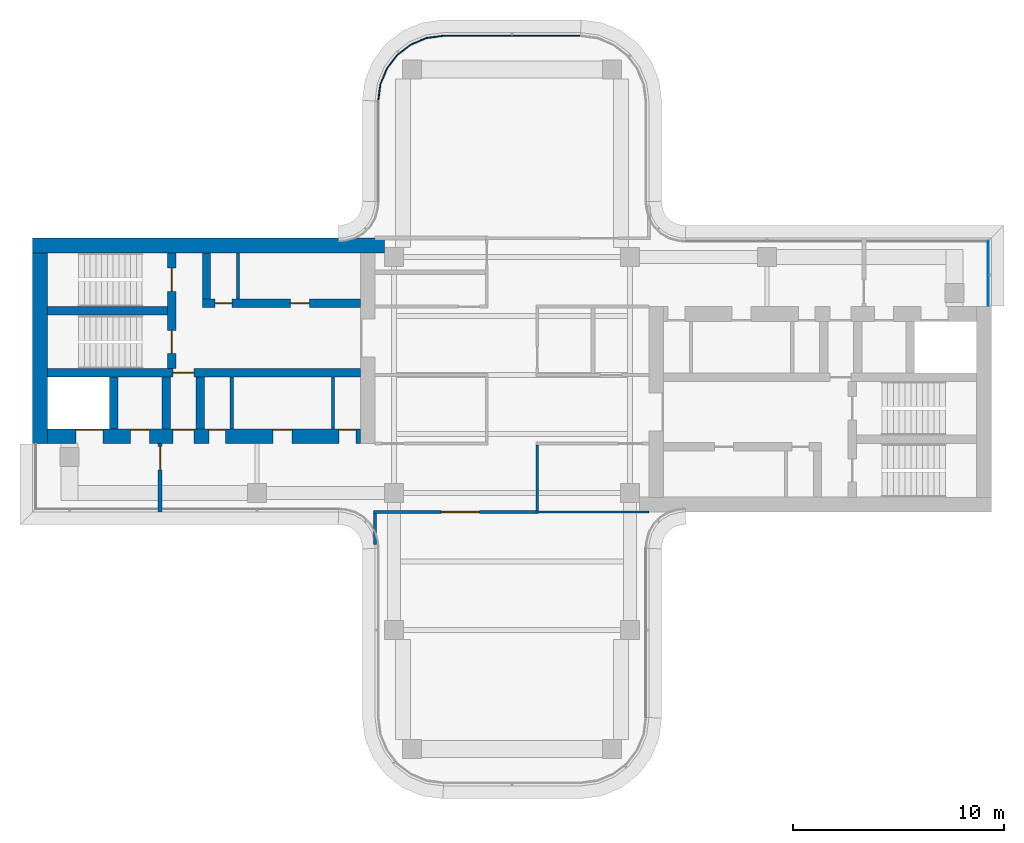
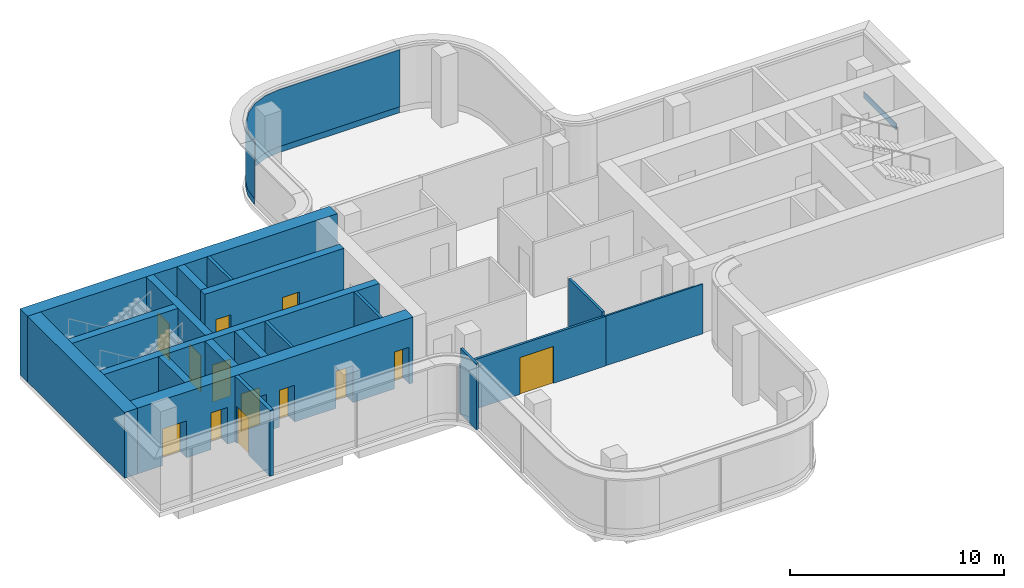
# One storey, part 8 of 11: 19 walls, 13 doors, 3 plates, 13 openings, 2 elements without a shape of their own.
"""IFC4 building model written with IfcOpenShell, lengths in metres."""

import ifcopenshell
import ifcopenshell.guid

model = None  # the IFC model being written
_history = None  # IfcOwnerHistory: only IFC2X3 demands one
_inside = {}  # id of a spatial element -> (the spatial element, [elements in it])
_under = {}  # id of a project, library or spatial element -> (it, [spatial elements below it])
_declared = {}  # id of a project -> (the project, [libraries it declares])
_typed = {}  # id of a type object -> (the type object, [elements of that type])
_made_of = {}  # id of a material, layer set ... -> (it, [elements and type objects made of it])


def new_model(schema):
    """Start an empty IFC model of exactly this schema.

    Asked for "IFC4X3", IfcOpenShell would pick the latest addendum, in which some entities
    have other attributes; the version numbers below select the first issue.
    IFC2X3 requires an IfcOwnerHistory on every rooted entity: one is made here for all.
    """
    global model, _history
    if schema == "IFC4X3":
        model = ifcopenshell.file(schema_version=(4, 3, 0, 0))
    else:
        model = ifcopenshell.file(schema=schema)
    _inside.clear()
    _under.clear()
    _declared.clear()
    _typed.clear()
    _made_of.clear()
    _history = None
    if model.schema == "IFC2X3":
        org = make("IfcOrganization", Name="unknown")
        user = make(
            "IfcPersonAndOrganization",
            ThePerson=make("IfcPerson", FamilyName="unknown"),
            TheOrganization=org,
        )
        app = make(
            "IfcApplication",
            ApplicationDeveloper=org,
            Version="unknown",
            ApplicationFullName="unknown",
            ApplicationIdentifier="unknown",
        )
        _history = make(
            "IfcOwnerHistory",
            OwningUser=user,
            OwningApplication=app,
            ChangeAction="ADDED",
            CreationDate=0,
        )
    return model


def make(cls, **values):
    """One entity of the class cls with the attributes given. An attribute that is None is left unset."""
    return model.create_entity(
        cls, **{name: value for name, value in values.items() if value is not None}
    )


def rooted(cls, **values):
    """An entity with a GlobalId (a new one), such as an element, a storey or a relation."""
    return make(cls, GlobalId=ifcopenshell.guid.new(), OwnerHistory=_history, **values)


def si_unit(unit_type, name, prefix=None):
    """IfcSIUnit, for example si_unit("LENGTHUNIT", "METRE", prefix="MILLI")."""
    return make("IfcSIUnit", UnitType=unit_type, Prefix=prefix, Name=name)


def assignment(units):
    """IfcUnitAssignment: the units of a project."""
    return None if units is None else make("IfcUnitAssignment", Units=units)


def point(xyz):
    """IfcCartesianPoint."""
    return None if xyz is None else make("IfcCartesianPoint", Coordinates=xyz)


def direction(xyz):
    """IfcDirection."""
    return None if xyz is None else make("IfcDirection", DirectionRatios=xyz)


def frame(location, z_axis=None, x_axis=None):
    """IfcAxis2Placement3D, a coordinate frame: its origin and axes. An axis left out is left unset."""
    return make(
        "IfcAxis2Placement3D",
        Location=point(location),
        Axis=direction(z_axis),
        RefDirection=direction(x_axis),
    )


def frame_2d(location, x_axis=None):
    """IfcAxis2Placement2D, a coordinate frame in the plane: its origin and x axis."""
    return make(
        "IfcAxis2Placement2D", Location=point(location), RefDirection=direction(x_axis)
    )


def origin():
    """The frame at (0, 0, 0) with its axes left unset."""
    return frame((0.0, 0.0, 0.0))


def place(relative_to, where):
    """IfcLocalPlacement: puts the frame where relative to a parent placement (None: the world)."""
    return make(
        "IfcLocalPlacement", PlacementRelTo=relative_to, RelativePlacement=where
    )


def context(
    kind, dimensions, precision=None, world=None, true_north=None, identifier=None
):
    """IfcGeometricRepresentationContext, for example the 3D "Model" context."""
    return make(
        "IfcGeometricRepresentationContext",
        ContextIdentifier=identifier,
        ContextType=kind,
        CoordinateSpaceDimension=dimensions,
        Precision=precision,
        WorldCoordinateSystem=world,
        TrueNorth=true_north,
    )


def subcontext(parent, identifier, kind, view, scale=None):
    """IfcGeometricRepresentationSubContext, for example "Body" below "Model"."""
    return make(
        "IfcGeometricRepresentationSubContext",
        ContextIdentifier=identifier,
        ContextType=kind,
        ParentContext=parent,
        TargetScale=scale,
        TargetView=view,
    )


def project(units=None, contexts=None):
    """IfcProject with its units and contexts."""
    return rooted(
        "IfcProject",
        Name="project",
        RepresentationContexts=contexts,
        UnitsInContext=assignment(units),
    )


def spatial(cls, under=None, at=None, **own):
    """A site, building, storey or space (cls), placed at a placement, below another one or the project."""
    s = rooted(cls, ObjectPlacement=at, **own)
    if under is not None:
        _under.setdefault(under.id(), (under, []))[1].append(s)
    return s


def polyline(points):
    """IfcPolyline through the points."""
    return make("IfcPolyline", Points=[point(p) for p in points])


def profile(cls, at=None, kind="AREA", **sizes):
    """A parametric profile (cls). Its sizes go by their IFC names, for example OverallWidth=200.0."""
    return make(cls, ProfileType=kind, Position=at, **sizes)


def rectangle(**sizes):
    """IfcRectangleProfileDef."""
    return profile("IfcRectangleProfileDef", **sizes)


def outline(outer, holes=None, kind="AREA"):
    """IfcArbitraryClosedProfileDef: a profile drawn as a closed curve; with holes, ...WithVoids."""
    if holes is None:
        return make("IfcArbitraryClosedProfileDef", ProfileType=kind, OuterCurve=outer)
    return make(
        "IfcArbitraryProfileDefWithVoids",
        ProfileType=kind,
        OuterCurve=outer,
        InnerCurves=holes,
    )


def extrude(swept, where, along, depth):
    """IfcExtrudedAreaSolid: the profile swept, set in the frame where, extruded along a direction by depth."""
    return make(
        "IfcExtrudedAreaSolid",
        SweptArea=swept,
        Position=where,
        ExtrudedDirection=direction(along),
        Depth=depth,
    )


def shape(context_of_items, identifier, shape_type, items):
    """IfcShapeRepresentation: the items that make up one representation, for example the "Body"."""
    return make(
        "IfcShapeRepresentation",
        ContextOfItems=context_of_items,
        RepresentationIdentifier=identifier,
        RepresentationType=shape_type,
        Items=items,
    )


def source(mapping_origin, context_of_items, identifier, shape_type, items):
    """IfcRepresentationMap: a shape defined once, which mapped items show again and again."""
    return make(
        "IfcRepresentationMap",
        MappingOrigin=mapping_origin,
        MappedRepresentation=shape(context_of_items, identifier, shape_type, items),
    )


def transform(
    local_origin,
    x_axis=None,
    y_axis=None,
    z_axis=None,
    scale=None,
    scale2=None,
    scale3=None,
    uniform=True,
):
    """IfcCartesianTransformationOperator3D, or its non-uniform kind. x_axis, y_axis, z_axis: its Axis1, 2, 3."""
    if uniform:
        return make(
            "IfcCartesianTransformationOperator3D",
            Axis1=direction(x_axis),
            Axis2=direction(y_axis),
            LocalOrigin=point(local_origin),
            Scale=scale,
            Axis3=direction(z_axis),
        )
    return make(
        "IfcCartesianTransformationOperator3DnonUniform",
        Axis1=direction(x_axis),
        Axis2=direction(y_axis),
        LocalOrigin=point(local_origin),
        Scale=scale,
        Axis3=direction(z_axis),
        Scale2=scale2,
        Scale3=scale3,
    )


def mapped(mapping_source, mapping_target):
    """IfcMappedItem: shows the shape of a source again, moved by a transform."""
    return make(
        "IfcMappedItem", MappingSource=mapping_source, MappingTarget=mapping_target
    )


def material(Name=None, Category=None):
    """IfcMaterial."""
    return make("IfcMaterial", Name=Name, Category=Category)


def layer(
    of_material, thickness, ventilated=None, Name=None, Category=None, Priority=None
):
    """IfcMaterialLayer: one layer of a wall or slab, of a material (None: an air gap)."""
    return make(
        "IfcMaterialLayer",
        Material=of_material,
        LayerThickness=thickness,
        IsVentilated=ventilated,
        Name=Name,
        Category=Category,
        Priority=Priority,
    )


def layer_set(layers, Name=None):
    """IfcMaterialLayerSet."""
    return make("IfcMaterialLayerSet", MaterialLayers=layers, LayerSetName=Name)


def made_of(thing, what):
    """Note that an element or type object is made of a material, layer set ...; save() writes the relation."""
    if what is not None:
        _made_of.setdefault(what.id(), (what, []))[1].append(thing)
    return thing


def type_object(cls, material=None, **own):
    """A type object (cls), such as IfcWallType, which elements share."""
    return made_of(rooted(cls, **own), material)


def element(
    cls,
    number,
    at=None,
    inside=None,
    cuts=None,
    type_object=None,
    material=None,
    context=None,
    identifier="Body",
    shape_type=None,
    held_by="IfcProductDefinitionShape",
    body=None,
    shapes=None,
    **own,
):
    """One element of the class cls, such as IfcWall. Its Tag is "e" and its number.

    at: its placement. inside: the storey or other place that contains it. cuts: it is an
    opening in that element (IfcRelVoidsElement). A single representation is given by context,
    identifier, shape_type and body (its items); several are given by shapes. held_by: the class
    of the entity that holds the representations. save() writes the other relations.
    """
    e = rooted(cls, Tag="e%d" % number, ObjectPlacement=at, **own)
    if body is not None:
        shapes = [shape(context, identifier, shape_type, body)]
    if shapes is not None:
        e.Representation = make(held_by, Representations=shapes)
    if inside is not None:
        _inside.setdefault(inside.id(), (inside, []))[1].append(e)
    if cuts is not None:
        rooted(
            "IfcRelVoidsElement", RelatingBuildingElement=cuts, RelatedOpeningElement=e
        )
    if type_object is not None:
        _typed.setdefault(type_object.id(), (type_object, []))[1].append(e)
    return made_of(e, material)


def fill(opening, filler):
    """IfcRelFillsElement: the door or window that sits in an opening."""
    return rooted(
        "IfcRelFillsElement",
        RelatingOpeningElement=opening,
        RelatedBuildingElement=filler,
    )


def aggregate(whole, parts):
    """IfcRelAggregates: a whole, such as a stair, and the parts it consists of."""
    return rooted("IfcRelAggregates", RelatingObject=whole, RelatedObjects=parts)


def save(model, path):
    """Write the relations noted so far, then the file.

    IfcRelAggregates (storeys below a building ...), IfcRelContainedInSpatialStructure (elements
    in a storey), IfcRelDefinesByType, IfcRelAssociatesMaterial and IfcRelDeclares: one each for
    every whole, place, type object, material and project.
    """
    for whole, parts in _under.values():
        aggregate(whole, parts)
    for where, things in _inside.values():
        rooted(
            "IfcRelContainedInSpatialStructure",
            RelatedElements=things,
            RelatingStructure=where,
        )
    for kind, things in _typed.values():
        rooted("IfcRelDefinesByType", RelatedObjects=things, RelatingType=kind)
    for what, things in _made_of.values():
        rooted("IfcRelAssociatesMaterial", RelatedObjects=things, RelatingMaterial=what)
    for by, libraries in _declared.values():
        rooted("IfcRelDeclares", RelatingContext=by, RelatedDefinitions=libraries)
    model.write(path)


model = new_model("IFC4")

# Units and contexts
model_context = context("Model", 3, precision=1e-05, world=origin(), true_north=direction((0.0, 1.0)))
body_context = subcontext(model_context, "Body", "Model", "MODEL_VIEW")
ifc_project = project(units=[si_unit("LENGTHUNIT", "METRE"), si_unit("AREAUNIT", "SQUARE_METRE"), si_unit("VOLUMEUNIT", "CUBIC_METRE"), si_unit("PLANEANGLEUNIT", "RADIAN"), si_unit("MASSUNIT", "GRAM", prefix="KILO")], contexts=[model_context])

# Site, building, storey
site_placement = place(None, origin())
site = spatial("IfcSite", under=ifc_project, at=site_placement, CompositionType="ELEMENT")
building_placement = place(site_placement, origin())
building = spatial("IfcBuilding", under=site, at=building_placement, Name="Trellis Farm Tower", CompositionType="ELEMENT")
storey_placement = place(building_placement, frame((0.0, 0.0, 342.10009765625)))
storey = spatial("IfcBuildingStorey", under=building, at=storey_placement, Name="L77", CompositionType="ELEMENT", Elevation=342.10009765625)

# Curtain wall, plates
ifc_material_1 = material(Name="Aluminium and glass curtain wall", Category="aluminium")
ifc_layer_1 = layer(ifc_material_1, 0.176025390625)
ifc_layer_set_1 = layer_set([ifc_layer_1], Name="CROWN LANTERN CURTAIN WALL CW5")
curtain_wall_type = type_object("IfcCurtainWallType", Name="CROWN LANTERN CURTAIN WALL CW5", PredefinedType="NOTDEFINED", material=ifc_layer_set_1)
placement = place(storey_placement, origin())
curtain_wall_1 = element("IfcCurtainWall", 1, at=placement, inside=storey, type_object=curtain_wall_type, Name="CW5 009", PredefinedType="NOTDEFINED")
ifc_material_2 = material(Name="Clear insulated glass", Category="glass")
ifc_layer_2 = layer(ifc_material_2, 0.055908203125)
ifc_layer_set_2 = layer_set([ifc_layer_2], Name="CW5 GLASS PANEL 56")
plate_type_1 = type_object("IfcPlateType", Name="CW5 GLASS PANEL 56", PredefinedType="CURTAIN_PANEL", material=ifc_layer_set_2)
plate_1_placement = place(storey_placement, frame((0.0, 0.0, 0.349853515625)))
plate_1 = element("IfcPlate", 2, at=plate_1_placement, type_object=plate_type_1, Name="PL5 009", PredefinedType="CURTAIN_PANEL", context=body_context, shape_type="SweptSolid", body=[
    extrude(outline(polyline([(3.2421875, 16.1298828125), (-3.2421875, 16.1298828125), (-4.059814453125, 16.0224609375), (-4.814453125, 15.709716796875), (-5.46240234375, 15.21240234375), (-5.959716796875, 14.564453125), (-6.2724609375, 13.809814453125), (-6.3798828125, 12.9921875), (-6.323974609375, 12.988525390625), (-6.2177734375, 13.795166015625), (-5.910888671875, 14.5361328125), (-5.422607421875, 15.172607421875), (-4.7861328125, 15.660888671875), (-4.045166015625, 15.9677734375), (-3.238525390625, 16.073974609375), (3.238525390625, 16.073974609375), (3.2421875, 16.1298828125)])), origin(), (0.0, 0.0, 1.0), 3.25),
])
ifc_material_3 = material(Name="Sandstone faced insulated panel", Category="masonry")
ifc_layer_3 = layer(ifc_material_3, 0.044921875)
ifc_layer_set_3 = layer_set([ifc_layer_3], Name="CW5 STONE SPANDREL PANEL 45")
plate_type_2 = type_object("IfcPlateType", Name="CW5 STONE SPANDREL PANEL 45", PredefinedType="CURTAIN_PANEL", material=ifc_layer_set_3)
plate_2 = element("IfcPlate", 3, at=placement, type_object=plate_type_2, Name="PS5 009", PredefinedType="CURTAIN_PANEL", context=body_context, shape_type="SweptSolid", body=[
    extrude(outline(polyline([(3.2421875, 16.1298828125), (-3.2421875, 16.1298828125), (-4.059814453125, 16.0224609375), (-4.814453125, 15.709716796875), (-5.46240234375, 15.21240234375), (-5.959716796875, 14.564453125), (-6.2724609375, 13.809814453125), (-6.3798828125, 12.9921875), (-6.3349609375, 12.9892578125), (-6.228515625, 13.798095703125), (-5.92041015625, 14.541748046875), (-5.430419921875, 15.180419921875), (-4.791748046875, 15.67041015625), (-4.048095703125, 15.978515625), (-3.2392578125, 16.0849609375), (3.2392578125, 16.0849609375), (3.2421875, 16.1298828125)])), origin(), (0.0, 0.0, 1.0), 0.349853515625),
])
aggregate(curtain_wall_1, [plate_1, plate_2])

# Curtain wall, plate
curtain_wall_2 = element("IfcCurtainWall", 4, at=placement, inside=storey, type_object=curtain_wall_type, Name="CW5 005", PredefinedType="NOTDEFINED")
shared_shape_1 = source(origin(), body_context, "Body", "SweptSolid", [
    extrude(outline(polyline([(22.6298828125, 3.280029296875), (22.6298828125, 6.3798828125), (22.5849609375, 6.3349609375), (22.5849609375, 3.280029296875), (22.6298828125, 3.280029296875)])), origin(), (0.0, 0.0, 1.0), 0.349853515625),
])
plate_3 = element("IfcPlate", 5, at=placement, type_object=plate_type_2, Name="PS5 005", PredefinedType="CURTAIN_PANEL", context=body_context, shape_type="MappedRepresentation", body=[
    mapped(shared_shape_1, transform((0.0, 0.0, 0.0))),
])
aggregate(curtain_wall_2, [plate_3])

# Walls
ifc_material_4 = material(Name="Concrete C50/60", Category="concrete")
ifc_layer_4 = layer(ifc_material_4, 0.699951171875)
ifc_layer_set_4 = layer_set([ifc_layer_4], Name="CORE OUTER WALL 700 CONCRETE C50/60")
wall_type_1 = type_object("IfcWallType", Name="CORE OUTER WALL 700 CONCRETE C50/60", PredefinedType="SHEAR", material=ifc_layer_set_4)
shared_shape_2 = source(origin(), body_context, "Body", "SweptSolid", [
    extrude(rectangle(XDim=9.050048828125, YDim=0.699951171875, at=frame_2d((4.52490234375, 0.0))), origin(), (0.0, 0.0, 1.0), 3.75),
])
wall_1_placement = place(storey_placement, frame((-22.39990234375, 5.800048828125, 0.0), z_axis=(0.0, 0.0, 1.0), x_axis=(0.0, -1.0, 0.0)))
element("IfcWall", 6, at=wall_1_placement, inside=storey, type_object=wall_type_1, Name="Core wall", PredefinedType="SHEAR", context=body_context, shape_type="MappedRepresentation", body=[
    mapped(shared_shape_2, transform((0.0, 0.0, 0.0))),
])
ifc_layer_5 = layer(ifc_material_4, 0.39990234375)
ifc_layer_set_5 = layer_set([ifc_layer_5], Name="CORE INNER WALL 400 CONCRETE C50/60")
wall_type_2 = type_object("IfcWallType", Name="CORE INNER WALL 400 CONCRETE C50/60", PredefinedType="SHEAR", material=ifc_layer_set_5)
shared_shape_3 = source(origin(), body_context, "Body", "SweptSolid", [
    extrude(rectangle(XDim=2.449951171875, YDim=0.39990234375, at=frame_2d((1.22509765625, 0.0))), origin(), (0.0, 0.0, 1.0), 3.75),
])
for number, where, z_axis, x_axis, name in (
    (7, (-14.800048828125, -0.10009765625, 0.0), (0.0, 0.0, 1.0), (0.0, -1.0, 0.0), "Core wall"),
    (8, (-16.39990234375, -0.10009765625, 0.0), (0.0, 0.0, 1.0), (0.0, -1.0, 0.0), "Core wall"),
    (9, (-18.89990234375, -0.10009765625, 0.0), (0.0, 0.0, 1.0), (0.0, -1.0, 0.0), "Core wall"),
):
    element("IfcWall", number, at=place(storey_placement, frame(where, z_axis=z_axis, x_axis=x_axis)), inside=storey, type_object=wall_type_2, Name=name, PredefinedType="SHEAR", context=body_context, shape_type="MappedRepresentation", body=[
        mapped(shared_shape_3, transform((0.0, 0.0, 0.0))),
    ])
ifc_material_5 = material(Name="Masonry blockwork", Category="masonry")
ifc_layer_6 = layer(ifc_material_5, 0.14990234375)
ifc_layer_set_6 = layer_set([ifc_layer_6], Name="CORE PARTITION 150 BLOCKWORK")
wall_type_3 = type_object("IfcWallType", Name="CORE PARTITION 150 BLOCKWORK", PredefinedType="PARTITIONING", material=ifc_layer_set_6)
shared_shape_4 = source(origin(), body_context, "Body", "SweptSolid", [
    extrude(rectangle(XDim=2.449951171875, YDim=0.14990234375, at=frame_2d((1.22509765625, 0.0))), origin(), (0.0, 0.0, 1.0), 3.75),
])
for number, where, z_axis, x_axis, name in (
    (10, (-8.5, -0.10009765625, 0.0), (0.0, 0.0, 1.0), (0.0, -1.0, 0.0), "Core room partition"),
    (11, (-13.300048828125, -0.10009765625, 0.0), (0.0, 0.0, 1.0), (0.0, -1.0, 0.0), "Core room partition"),
):
    element("IfcWall", number, at=place(storey_placement, frame(where, z_axis=z_axis, x_axis=x_axis)), inside=storey, type_object=wall_type_3, Name=name, PredefinedType="PARTITIONING", context=body_context, shape_type="MappedRepresentation", body=[
        mapped(shared_shape_4, transform((0.0, 0.0, 0.0))),
    ])
shared_shape_5 = source(origin(), body_context, "Body", "SweptSolid", [
    extrude(rectangle(XDim=16.699951171875, YDim=0.699951171875, at=frame_2d((8.35009765625, 0.0))), origin(), (0.0, 0.0, 1.0), 3.75),
])
wall_2_placement = place(storey_placement, frame((-6.050048828125, 6.14990234375, 0.0), z_axis=(0.0, 0.0, 1.0), x_axis=(-1.0, 0.0, 0.0)))
element("IfcWall", 12, at=wall_2_placement, inside=storey, type_object=wall_type_1, Name="Core wall", PredefinedType="SHEAR", context=body_context, shape_type="MappedRepresentation", body=[
    mapped(shared_shape_5, transform((0.0, 0.0, 0.0))),
])

# Wall, openings, doors
shared_shape_6 = source(origin(), body_context, "Body", "SweptSolid", [
    extrude(rectangle(XDim=14.85009765625, YDim=0.699951171875, at=frame_2d((7.425048828125, 0.0))), origin(), (0.0, 0.0, 1.0), 3.75),
])
wall_3_placement = place(storey_placement, frame((-7.199951171875, -2.89990234375, 0.0), z_axis=(0.0, 0.0, 1.0), x_axis=(-1.0, 0.0, 0.0)))
wall_3 = element("IfcWall", 13, at=wall_3_placement, inside=storey, type_object=wall_type_1, Name="Core wall", PredefinedType="SHEAR", context=body_context, shape_type="MappedRepresentation", body=[
    mapped(shared_shape_6, transform((0.0, 0.0, 0.0))),
])
shared_shape_7 = source(origin(), body_context, "Body", "SweptSolid", [
    extrude(rectangle(XDim=1.300048828125, YDim=2.10009765625, at=frame_2d((0.64990234375, 1.050048828125))), frame((0.0, 0.360107421875, 0.0), z_axis=(0.0, -1.0, 0.0), x_axis=(1.0, 0.0, 0.0)), (0.0, 0.0, 1.0), 0.72021484375),
])
opening_1_placement = place(wall_3_placement, frame((12.199951171875, 0.0, 0.0)))
opening_1 = element("IfcOpeningElement", 14, at=opening_1_placement, cuts=wall_3, Name="Opening LD15", PredefinedType="OPENING", context=body_context, shape_type="MappedRepresentation", body=[
    mapped(shared_shape_7, transform((0.0, 0.0, 0.0))),
])
shared_shape_8 = source(origin(), body_context, "Body", "SweptSolid", [
    extrude(rectangle(XDim=1.0, YDim=2.10009765625, at=frame_2d((0.5, 1.050048828125))), frame((0.0, 0.360107421875, 0.0), z_axis=(0.0, -1.0, 0.0), x_axis=(1.0, 0.0, 0.0)), (0.0, 0.0, 1.0), 0.72021484375),
])
opening_2_placement = place(wall_3_placement, frame((7.89990234375, 0.0, 0.0)))
opening_2 = element("IfcOpeningElement", 15, at=opening_2_placement, cuts=wall_3, Name="Opening DC92", PredefinedType="OPENING", context=body_context, shape_type="MappedRepresentation", body=[
    mapped(shared_shape_8, transform((0.0, 0.0, 0.0))),
])
shared_shape_9 = source(origin(), body_context, "Body", "SweptSolid", [
    extrude(rectangle(XDim=0.800048828125, YDim=2.10009765625, at=frame_2d((0.39990234375, 1.050048828125))), frame((0.0, 0.360107421875, 0.0), z_axis=(0.0, -1.0, 0.0), x_axis=(1.0, 0.0, 0.0)), (0.0, 0.0, 1.0), 0.72021484375),
])
opening_3_placement = place(wall_3_placement, frame((0.21240234375, 0.0, 0.0)))
opening_3 = element("IfcOpeningElement", 16, at=opening_3_placement, cuts=wall_3, Name="Opening DC95", PredefinedType="OPENING", context=body_context, shape_type="MappedRepresentation", body=[
    mapped(shared_shape_9, transform((0.0, 0.0, 0.0))),
])
shared_shape_10 = source(origin(), body_context, "Body", "SweptSolid", [
    extrude(rectangle(XDim=0.89990234375, YDim=2.10009765625, at=frame_2d((0.449951171875, 1.050048828125))), frame((0.0, 0.360107421875, 0.0), z_axis=(0.0, -1.0, 0.0), x_axis=(1.0, 0.0, 0.0)), (0.0, 0.0, 1.0), 0.72021484375),
])
opening_4_placement = place(wall_3_placement, frame((3.25, 0.0, 0.0)))
opening_4 = element("IfcOpeningElement", 17, at=opening_4_placement, cuts=wall_3, Name="Opening DC104", PredefinedType="OPENING", context=body_context, shape_type="MappedRepresentation", body=[
    mapped(shared_shape_10, transform((0.0, 0.0, 0.0))),
])
opening_5_placement = place(wall_3_placement, frame((6.387451171875, 0.0, 0.0)))
opening_5 = element("IfcOpeningElement", 18, at=opening_5_placement, cuts=wall_3, Name="Opening DC107", PredefinedType="OPENING", context=body_context, shape_type="MappedRepresentation", body=[
    mapped(shared_shape_9, transform((0.0, 0.0, 0.0))),
])
opening_6_placement = place(wall_3_placement, frame((10.0, 0.0, 0.0)))
opening_6 = element("IfcOpeningElement", 19, at=opening_6_placement, cuts=wall_3, Name="Opening DC134", PredefinedType="OPENING", context=body_context, shape_type="MappedRepresentation", body=[
    mapped(shared_shape_10, transform((0.0, 0.0, 0.0))),
])
ifc_material_6 = material(Name="Steel", Category="steel")
door_type_1 = type_object("IfcDoorType", Name="CORE FIRE DOOR 1000 X 2100", OperationType="NOTDEFINED", PredefinedType="DOOR", material=ifc_material_6)
shared_shape_11 = source(origin(), body_context, "Body", "SweptSolid", [
    extrude(rectangle(XDim=1.0, YDim=2.10009765625, at=frame_2d((0.5, 1.050048828125))), frame((0.0, -0.27490234375, 0.0), z_axis=(0.0, -1.0, 0.0), x_axis=(1.0, 0.0, 0.0)), (0.0, 0.0, 1.0), 0.050048828125),
])
door_1_placement = place(opening_2_placement, origin())
door_1 = element("IfcDoor", 20, at=door_1_placement, inside=storey, type_object=door_type_1, Name="Core door", OperationType="SINGLE_SWING_LEFT", OverallHeight=2.10009765625, OverallWidth=1.0, PredefinedType="DOOR", context=body_context, shape_type="MappedRepresentation", body=[
    mapped(shared_shape_11, transform((0.0, 0.0, 0.0))),
])
fill(opening_2, door_1)
door_type_2 = type_object("IfcDoorType", Name="CORE FIRE DOOR 900 X 2100", OperationType="NOTDEFINED", PredefinedType="DOOR", material=ifc_material_6)
shared_shape_12 = source(origin(), body_context, "Body", "SweptSolid", [
    extrude(rectangle(XDim=0.89990234375, YDim=2.10009765625, at=frame_2d((0.449951171875, 1.050048828125))), frame((0.0, -0.27490234375, 0.0), z_axis=(0.0, -1.0, 0.0), x_axis=(1.0, 0.0, 0.0)), (0.0, 0.0, 1.0), 0.050048828125),
])
door_2_placement = place(opening_4_placement, origin())
door_2 = element("IfcDoor", 21, at=door_2_placement, inside=storey, type_object=door_type_2, Name="Core door", OperationType="SINGLE_SWING_RIGHT", OverallHeight=2.10009765625, OverallWidth=0.89990234375, PredefinedType="DOOR", context=body_context, shape_type="MappedRepresentation", body=[
    mapped(shared_shape_12, transform((0.0, 0.0, 0.0))),
])
fill(opening_4, door_2)
door_3_placement = place(opening_6_placement, origin())
door_3 = element("IfcDoor", 22, at=door_3_placement, inside=storey, type_object=door_type_2, Name="Core door", OperationType="SINGLE_SWING_RIGHT", OverallHeight=2.10009765625, OverallWidth=0.89990234375, PredefinedType="DOOR", context=body_context, shape_type="MappedRepresentation", body=[
    mapped(shared_shape_12, transform((0.0, 0.0, 0.0))),
])
fill(opening_6, door_3)
ifc_material_7 = material(Name="Stainless steel", Category="steel")
door_type_3 = type_object("IfcDoorType", Name="LIFT LANDING DOOR 1300 X 2100", OperationType="DOUBLE_DOOR_SLIDING", PredefinedType="DOOR", material=ifc_material_7)
shared_shape_13 = source(origin(), body_context, "Body", "SweptSolid", [
    extrude(rectangle(XDim=1.300048828125, YDim=2.10009765625, at=frame_2d((0.64990234375, 1.050048828125))), frame((0.0, -0.27490234375, 0.0), z_axis=(0.0, -1.0, 0.0), x_axis=(1.0, 0.0, 0.0)), (0.0, 0.0, 1.0), 0.050048828125),
])
door_4_placement = place(opening_1_placement, origin())
door_4 = element("IfcDoor", 23, at=door_4_placement, inside=storey, type_object=door_type_3, Name="Lift landing door", OperationType="DOUBLE_DOOR_SLIDING", OverallHeight=2.10009765625, OverallWidth=1.300048828125, PredefinedType="DOOR", context=body_context, shape_type="MappedRepresentation", body=[
    mapped(shared_shape_13, transform((0.0, 0.0, 0.0))),
])
fill(opening_1, door_4)
door_type_4 = type_object("IfcDoorType", Name="CORE FIRE DOOR 800 X 2100", OperationType="NOTDEFINED", PredefinedType="DOOR", material=ifc_material_6)
shared_shape_14 = source(origin(), body_context, "Body", "SweptSolid", [
    extrude(rectangle(XDim=0.800048828125, YDim=2.10009765625, at=frame_2d((0.39990234375, 1.050048828125))), frame((0.0, -0.27490234375, 0.0), z_axis=(0.0, -1.0, 0.0), x_axis=(1.0, 0.0, 0.0)), (0.0, 0.0, 1.0), 0.050048828125),
])
door_5_placement = place(opening_3_placement, origin())
door_5 = element("IfcDoor", 24, at=door_5_placement, inside=storey, type_object=door_type_4, Name="Core door", OperationType="SINGLE_SWING_LEFT", OverallHeight=2.10009765625, OverallWidth=0.800048828125, PredefinedType="DOOR", context=body_context, shape_type="MappedRepresentation", body=[
    mapped(shared_shape_14, transform((0.0, 0.0, 0.0))),
])
fill(opening_3, door_5)
door_6_placement = place(opening_5_placement, origin())
door_6 = element("IfcDoor", 25, at=door_6_placement, inside=storey, type_object=door_type_4, Name="Core door", OperationType="SINGLE_SWING_LEFT", OverallHeight=2.10009765625, OverallWidth=0.800048828125, PredefinedType="DOOR", context=body_context, shape_type="MappedRepresentation", body=[
    mapped(shared_shape_14, transform((0.0, 0.0, 0.0))),
])
fill(opening_5, door_6)

shared_shape_15 = source(origin(), body_context, "Body", "SweptSolid", [
    extrude(rectangle(XDim=7.5, YDim=0.39990234375, at=frame_2d((3.75, 0.0))), origin(), (0.0, 0.0, 1.0), 3.75),
])
wall_4_placement = place(storey_placement, frame((-7.199951171875, 3.39990234375, 0.0), z_axis=(0.0, 0.0, 1.0), x_axis=(-1.0, 0.0, 0.0)))
wall_4 = element("IfcWall", 26, at=wall_4_placement, inside=storey, type_object=wall_type_2, Name="Core wall", PredefinedType="SHEAR", context=body_context, shape_type="MappedRepresentation", body=[
    mapped(shared_shape_15, transform((0.0, 0.0, 0.0))),
])
shared_shape_16 = source(origin(), body_context, "Body", "SweptSolid", [
    extrude(rectangle(XDim=0.89990234375, YDim=2.10009765625, at=frame_2d((0.449951171875, 1.050048828125))), frame((0.0, 0.2099609375, 0.0), z_axis=(0.0, -1.0, 0.0), x_axis=(1.0, 0.0, 0.0)), (0.0, 0.0, 1.0), 0.419921875),
])
opening_7_placement = place(wall_4_placement, frame((2.41259765625, 0.0, 0.0)))
opening_7 = element("IfcOpeningElement", 27, at=opening_7_placement, cuts=wall_4, Name="Opening DC139", PredefinedType="OPENING", context=body_context, shape_type="MappedRepresentation", body=[
    mapped(shared_shape_16, transform((0.0, 0.0, 0.0))),
])
shared_shape_17 = source(origin(), body_context, "Body", "SweptSolid", [
    extrude(rectangle(XDim=0.800048828125, YDim=2.10009765625, at=frame_2d((0.39990234375, 1.050048828125))), frame((0.0, 0.2099609375, 0.0), z_axis=(0.0, -1.0, 0.0), x_axis=(1.0, 0.0, 0.0)), (0.0, 0.0, 1.0), 0.419921875),
])
opening_8_placement = place(wall_4_placement, frame((6.08740234375, 0.0, 0.0)))
opening_8 = element("IfcOpeningElement", 28, at=opening_8_placement, cuts=wall_4, Name="Opening DC144", PredefinedType="OPENING", context=body_context, shape_type="MappedRepresentation", body=[
    mapped(shared_shape_17, transform((0.0, 0.0, 0.0))),
])
shared_shape_18 = source(origin(), body_context, "Body", "SweptSolid", [
    extrude(rectangle(XDim=0.89990234375, YDim=2.10009765625, at=frame_2d((0.449951171875, 1.050048828125))), frame((0.0, 0.02490234375, 0.0), z_axis=(0.0, -1.0, 0.0), x_axis=(1.0, 0.0, 0.0)), (0.0, 0.0, 1.0), 0.050048828125),
])
door_7_placement = place(opening_7_placement, origin())
door_7 = element("IfcDoor", 29, at=door_7_placement, inside=storey, type_object=door_type_2, Name="Core door", OperationType="SINGLE_SWING_LEFT", OverallHeight=2.10009765625, OverallWidth=0.89990234375, PredefinedType="DOOR", context=body_context, shape_type="MappedRepresentation", body=[
    mapped(shared_shape_18, transform((0.0, 0.0, 0.0))),
])
fill(opening_7, door_7)
shared_shape_19 = source(origin(), body_context, "Body", "SweptSolid", [
    extrude(rectangle(XDim=0.800048828125, YDim=2.10009765625, at=frame_2d((0.39990234375, 1.050048828125))), frame((0.0, 0.02490234375, 0.0), z_axis=(0.0, -1.0, 0.0), x_axis=(1.0, 0.0, 0.0)), (0.0, 0.0, 1.0), 0.050048828125),
])
door_8_placement = place(opening_8_placement, origin())
door_8 = element("IfcDoor", 30, at=door_8_placement, inside=storey, type_object=door_type_4, Name="Core door", OperationType="SINGLE_SWING_RIGHT", OverallHeight=2.10009765625, OverallWidth=0.800048828125, PredefinedType="DOOR", context=body_context, shape_type="MappedRepresentation", body=[
    mapped(shared_shape_19, transform((0.0, 0.0, 0.0))),
])
fill(opening_8, door_8)

# Wall, opening, door
shared_shape_20 = source(origin(), body_context, "Body", "SweptSolid", [
    extrude(rectangle(XDim=14.85009765625, YDim=0.39990234375, at=frame_2d((7.425048828125, 0.0))), origin(), (0.0, 0.0, 1.0), 3.75),
])
wall_5_placement = place(storey_placement, frame((-7.199951171875, 0.10009765625, 0.0), z_axis=(0.0, 0.0, 1.0), x_axis=(-1.0, 0.0, 0.0)))
wall_5 = element("IfcWall", 31, at=wall_5_placement, inside=storey, type_object=wall_type_2, Name="Core wall", PredefinedType="SHEAR", context=body_context, shape_type="MappedRepresentation", body=[
    mapped(shared_shape_20, transform((0.0, 0.0, 0.0))),
])
shared_shape_21 = source(origin(), body_context, "Body", "SweptSolid", [
    extrude(rectangle(XDim=1.0, YDim=2.10009765625, at=frame_2d((0.5, 1.050048828125))), frame((0.0, 0.2099609375, 0.0), z_axis=(0.0, -1.0, 0.0), x_axis=(1.0, 0.0, 0.0)), (0.0, 0.0, 1.0), 0.419921875),
])
opening_9_placement = place(wall_5_placement, frame((7.89990234375, 0.0, 0.0)))
opening_9 = element("IfcOpeningElement", 32, at=opening_9_placement, cuts=wall_5, Name="Opening DC91", PredefinedType="OPENING", context=body_context, shape_type="MappedRepresentation", body=[
    mapped(shared_shape_21, transform((0.0, 0.0, 0.0))),
])
shared_shape_22 = source(origin(), body_context, "Body", "SweptSolid", [
    extrude(rectangle(XDim=1.0, YDim=2.10009765625, at=frame_2d((0.5, 1.050048828125))), frame((0.0, 0.02490234375, 0.0), z_axis=(0.0, -1.0, 0.0), x_axis=(1.0, 0.0, 0.0)), (0.0, 0.0, 1.0), 0.050048828125),
])
door_9_placement = place(opening_9_placement, origin())
door_9 = element("IfcDoor", 33, at=door_9_placement, inside=storey, type_object=door_type_1, Name="Core door", OperationType="SINGLE_SWING_RIGHT", OverallHeight=2.10009765625, OverallWidth=1.0, PredefinedType="DOOR", context=body_context, shape_type="MappedRepresentation", body=[
    mapped(shared_shape_22, transform((0.0, 0.0, 0.0))),
])
fill(opening_9, door_9)

# Wall, openings, doors
shared_shape_23 = source(origin(), body_context, "Body", "SweptSolid", [
    extrude(rectangle(XDim=5.5, YDim=0.39990234375, at=frame_2d((2.75, 0.0))), origin(), (0.0, 0.0, 1.0), 3.75),
])
wall_6_placement = place(storey_placement, frame((-16.14990234375, 5.800048828125, 0.0), z_axis=(0.0, 0.0, 1.0), x_axis=(0.0, -1.0, 0.0)))
wall_6 = element("IfcWall", 34, at=wall_6_placement, inside=storey, type_object=wall_type_2, Name="Core wall", PredefinedType="SHEAR", context=body_context, shape_type="MappedRepresentation", body=[
    mapped(shared_shape_23, transform((0.0, 0.0, 0.0))),
])
shared_shape_24 = source(origin(), body_context, "Body", "SweptSolid", [
    extrude(rectangle(XDim=1.10009765625, YDim=2.10009765625, at=frame_2d((0.550048828125, 1.050048828125))), frame((0.0, 0.2099609375, 0.0), z_axis=(0.0, -1.0, 0.0), x_axis=(1.0, 0.0, 0.0)), (0.0, 0.0, 1.0), 0.419921875),
])
opening_10_placement = place(wall_6_placement, frame((0.72509765625, 0.0, 0.0)))
opening_10 = element("IfcOpeningElement", 35, at=opening_10_placement, cuts=wall_6, Name="Opening DC88", PredefinedType="OPENING", context=body_context, shape_type="MappedRepresentation", body=[
    mapped(shared_shape_24, transform((0.0, 0.0, 0.0))),
])
opening_11_placement = place(wall_6_placement, frame((3.675048828125, 0.0, 0.0)))
opening_11 = element("IfcOpeningElement", 36, at=opening_11_placement, cuts=wall_6, Name="Opening DC89", PredefinedType="OPENING", context=body_context, shape_type="MappedRepresentation", body=[
    mapped(shared_shape_24, transform((0.0, 0.0, 0.0))),
])
door_type_5 = type_object("IfcDoorType", Name="CORE FIRE DOOR 1100 X 2100", OperationType="NOTDEFINED", PredefinedType="DOOR", material=ifc_material_6)
shared_shape_25 = source(origin(), body_context, "Body", "SweptSolid", [
    extrude(rectangle(XDim=1.10009765625, YDim=2.10009765625, at=frame_2d((0.550048828125, 1.050048828125))), frame((0.0, 0.02490234375, 0.0), z_axis=(0.0, -1.0, 0.0), x_axis=(1.0, 0.0, 0.0)), (0.0, 0.0, 1.0), 0.050048828125),
])
door_10_placement = place(opening_10_placement, origin())
door_10 = element("IfcDoor", 37, at=door_10_placement, inside=storey, type_object=door_type_5, Name="Core door", OperationType="SINGLE_SWING_RIGHT", OverallHeight=2.10009765625, OverallWidth=1.10009765625, PredefinedType="DOOR", context=body_context, shape_type="MappedRepresentation", body=[
    mapped(shared_shape_25, transform((0.0, 0.0, 0.0))),
])
fill(opening_10, door_10)
door_11_placement = place(opening_11_placement, origin())
door_11 = element("IfcDoor", 38, at=door_11_placement, inside=storey, type_object=door_type_5, Name="Core door", OperationType="SINGLE_SWING_LEFT", OverallHeight=2.10009765625, OverallWidth=1.10009765625, PredefinedType="DOOR", context=body_context, shape_type="MappedRepresentation", body=[
    mapped(shared_shape_25, transform((0.0, 0.0, 0.0))),
])
fill(opening_11, door_11)

# Walls
shared_shape_26 = source(origin(), body_context, "Body", "SweptSolid", [
    extrude(rectangle(XDim=5.699951171875, YDim=0.39990234375, at=frame_2d((2.85009765625, 0.0))), origin(), (0.0, 0.0, 1.0), 3.75),
])
wall_7_placement = place(storey_placement, frame((-16.35009765625, 3.050048828125, 0.0), z_axis=(0.0, 0.0, 1.0), x_axis=(-1.0, 0.0, 0.0)))
element("IfcWall", 39, at=wall_7_placement, inside=storey, type_object=wall_type_2, Name="Core wall", PredefinedType="SHEAR", context=body_context, shape_type="MappedRepresentation", body=[
    mapped(shared_shape_26, transform((0.0, 0.0, 0.0))),
])
shared_shape_27 = source(origin(), body_context, "Body", "SweptSolid", [
    extrude(rectangle(XDim=2.199951171875, YDim=0.39990234375, at=frame_2d((1.10009765625, 0.0))), origin(), (0.0, 0.0, 1.0), 3.75),
])
wall_8_placement = place(storey_placement, frame((-14.5, 5.800048828125, 0.0), z_axis=(0.0, 0.0, 1.0), x_axis=(0.0, -1.0, 0.0)))
element("IfcWall", 40, at=wall_8_placement, inside=storey, type_object=wall_type_2, Name="Core wall", PredefinedType="SHEAR", context=body_context, shape_type="MappedRepresentation", body=[
    mapped(shared_shape_27, transform((0.0, 0.0, 0.0))),
])

# Wall, opening, door
ifc_layer_7 = layer(ifc_material_5, 0.199951171875)
ifc_layer_set_7 = layer_set([ifc_layer_7], Name="FIRE LOBBY PARTITION 200 BLOCKWORK")
wall_type_4 = type_object("IfcWallType", Name="FIRE LOBBY PARTITION 200 BLOCKWORK", PredefinedType="PARTITIONING", material=ifc_layer_set_7)
shared_shape_28 = source(origin(), body_context, "Body", "SweptSolid", [
    extrude(rectangle(XDim=3.25, YDim=0.199951171875, at=frame_2d((1.625, 0.0))), origin(), (0.0, 0.0, 1.0), 3.75),
])
wall_9_placement = place(storey_placement, frame((-16.699951171875, -3.25, 0.0), z_axis=(0.0, 0.0, 1.0), x_axis=(0.0, -1.0, 0.0)))
wall_9 = element("IfcWall", 41, at=wall_9_placement, inside=storey, type_object=wall_type_4, Name="Fire-fighting lobby partition", PredefinedType="PARTITIONING", context=body_context, shape_type="MappedRepresentation", body=[
    mapped(shared_shape_28, transform((0.0, 0.0, 0.0))),
])
shared_shape_29 = source(origin(), body_context, "Body", "SweptSolid", [
    extrude(rectangle(XDim=1.10009765625, YDim=2.10009765625, at=frame_2d((0.550048828125, 1.050048828125))), frame((0.0, 0.110107421875, 0.0), z_axis=(0.0, -1.0, 0.0), x_axis=(1.0, 0.0, 0.0)), (0.0, 0.0, 1.0), 0.22021484375),
])
opening_12_placement = place(wall_9_placement, frame((0.14990234375, 0.0, 0.0)))
opening_12 = element("IfcOpeningElement", 42, at=opening_12_placement, cuts=wall_9, Name="Opening DC93", PredefinedType="OPENING", context=body_context, shape_type="MappedRepresentation", body=[
    mapped(shared_shape_29, transform((0.0, 0.0, 0.0))),
])
door_12_placement = place(opening_12_placement, origin())
door_12 = element("IfcDoor", 43, at=door_12_placement, inside=storey, type_object=door_type_5, Name="Core door", OperationType="SINGLE_SWING_RIGHT", OverallHeight=2.10009765625, OverallWidth=1.10009765625, PredefinedType="DOOR", context=body_context, shape_type="MappedRepresentation", body=[
    mapped(shared_shape_25, transform((0.0, 0.0, 0.0))),
])
fill(opening_12, door_12)

# Walls
shared_shape_30 = source(origin(), body_context, "Body", "SweptSolid", [
    extrude(rectangle(XDim=2.199951171875, YDim=0.14990234375, at=frame_2d((1.10009765625, 0.0))), origin(), (0.0, 0.0, 1.0), 3.75),
])
wall_10_placement = place(storey_placement, frame((-13.0, 5.800048828125, 0.0), z_axis=(0.0, 0.0, 1.0), x_axis=(0.0, -1.0, 0.0)))
element("IfcWall", 44, at=wall_10_placement, inside=storey, type_object=wall_type_3, Name="Core room partition", PredefinedType="PARTITIONING", context=body_context, shape_type="MappedRepresentation", body=[
    mapped(shared_shape_30, transform((0.0, 0.0, 0.0))),
])
ifc_material_8 = material(Name="Plasterboard on steel studs, mineral wool", Category="steel")
ifc_layer_8 = layer(ifc_material_8, 0.125)
ifc_layer_set_8 = layer_set([ifc_layer_8], Name="PARTITION 125 STUD EI 60")
wall_type_5 = type_object("IfcWallType", Name="PARTITION 125 STUD EI 60", PredefinedType="PARTITIONING", material=ifc_layer_set_8)
shared_shape_31 = source(origin(), body_context, "Body", "SweptSolid", [
    extrude(rectangle(XDim=3.137451171875, YDim=0.125, at=frame_2d((1.56884765625, 0.0))), origin(), (0.0, 0.0, 1.0), 3.04638671875),
])
wall_11_placement = place(storey_placement, frame((1.199951171875, -3.3125, 0.0), z_axis=(0.0, 0.0, 1.0), x_axis=(0.0, -1.0, 0.0)))
element("IfcWall", 45, at=wall_11_placement, inside=storey, type_object=wall_type_5, Name="Partition PW1", PredefinedType="PARTITIONING", context=body_context, shape_type="MappedRepresentation", body=[
    mapped(shared_shape_31, transform((0.0, 0.0, 0.0))),
])
shared_shape_32 = source(origin(), body_context, "Body", "SweptSolid", [
    extrude(rectangle(XDim=1.468994140625, YDim=0.125, at=frame_2d((0.734375, 0.0))), origin(), (0.0, 0.0, 1.0), 3.75),
])
wall_12_placement = place(storey_placement, frame((-6.5, -6.5625, 0.0), z_axis=(0.0, 0.0, 1.0), x_axis=(0.0, -1.0, 0.0)))
element("IfcWall", 46, at=wall_12_placement, inside=storey, type_object=wall_type_5, Name="Partition PW1", PredefinedType="PARTITIONING", context=body_context, shape_type="MappedRepresentation", body=[
    mapped(shared_shape_32, transform((0.0, 0.0, 0.0))),
])
ifc_material_9 = material(Name="Plasterboard on steel studs", Category="steel")
ifc_layer_9 = layer(ifc_material_9, 0.10009765625)
ifc_layer_set_9 = layer_set([ifc_layer_9], Name="PARTITION 100 STUD EI 30")
wall_type_6 = type_object("IfcWallType", Name="PARTITION 100 STUD EI 30", PredefinedType="PARTITIONING", material=ifc_layer_set_9)
shared_shape_33 = source(origin(), body_context, "Body", "SweptSolid", [
    extrude(rectangle(XDim=5.362548828125, YDim=0.10009765625, at=frame_2d((2.68115234375, 0.0))), origin(), (0.0, 0.0, 1.0), 2.829833984375),
])
wall_13_placement = place(storey_placement, frame((1.137451171875, -6.5, 0.0), z_axis=(0.0, 0.0, 1.0), x_axis=(1.0, 0.0, 0.0)))
element("IfcWall", 47, at=wall_13_placement, inside=storey, type_object=wall_type_6, Name="Partition PW2", PredefinedType="PARTITIONING", context=body_context, shape_type="MappedRepresentation", body=[
    mapped(shared_shape_33, transform((0.0, 0.0, 0.0))),
])

# Wall, opening, door
shared_shape_34 = source(origin(), body_context, "Body", "SweptSolid", [
    extrude(rectangle(XDim=7.824951171875, YDim=0.125, at=frame_2d((3.91259765625, 0.0))), origin(), (0.0, 0.0, 1.0), 2.829833984375),
])
wall_14_placement = place(storey_placement, frame((1.262451171875, -6.5, 0.0), z_axis=(0.0, 0.0, 1.0), x_axis=(-1.0, 0.0, 0.0)))
wall_14 = element("IfcWall", 48, at=wall_14_placement, inside=storey, type_object=wall_type_5, Name="Partition PW1", PredefinedType="PARTITIONING", context=body_context, shape_type="MappedRepresentation", body=[
    mapped(shared_shape_34, transform((0.0, 0.0, 0.0))),
])
shared_shape_35 = source(origin(), body_context, "Body", "SweptSolid", [
    extrude(rectangle(XDim=1.800048828125, YDim=2.10009765625, at=frame_2d((0.89990234375, 1.050048828125))), frame((0.0, 0.072509765625, 0.0), z_axis=(0.0, -1.0, 0.0), x_axis=(1.0, 0.0, 0.0)), (0.0, 0.0, 1.0), 0.14501953125),
])
opening_13_placement = place(wall_14_placement, frame((2.8125, 0.0, 0.0)))
opening_13 = element("IfcOpeningElement", 49, at=opening_13_placement, cuts=wall_14, Name="Opening D201", PredefinedType="OPENING", context=body_context, shape_type="MappedRepresentation", body=[
    mapped(shared_shape_35, transform((0.0, 0.0, 0.0))),
])
ifc_material_10 = material(Name="Fire-rated timber door leaf in a hollow metal frame", Category="wood")
door_type_6 = type_object("IfcDoorType", Name="DOOR PAIR 1800x2100 FD30S", OperationType="NOTDEFINED", PredefinedType="DOOR", material=ifc_material_10)
shared_shape_36 = source(origin(), body_context, "Body", "SweptSolid", [
    extrude(rectangle(XDim=1.800048828125, YDim=2.10009765625, at=frame_2d((0.89990234375, 1.050048828125))), frame((0.0, 0.02490234375, 0.0), z_axis=(0.0, -1.0, 0.0), x_axis=(1.0, 0.0, 0.0)), (0.0, 0.0, 1.0), 0.050048828125),
])
door_13_placement = place(opening_13_placement, origin())
door_13 = element("IfcDoor", 50, at=door_13_placement, inside=storey, type_object=door_type_6, Name="Door D201", OperationType="DOUBLE_DOOR_SINGLE_SWING", OverallHeight=2.10009765625, OverallWidth=1.800048828125, PredefinedType="DOOR", context=body_context, shape_type="MappedRepresentation", body=[
    mapped(shared_shape_36, transform((0.0, 0.0, 0.0))),
])
fill(opening_13, door_13)

save(model, "model.ifc")
